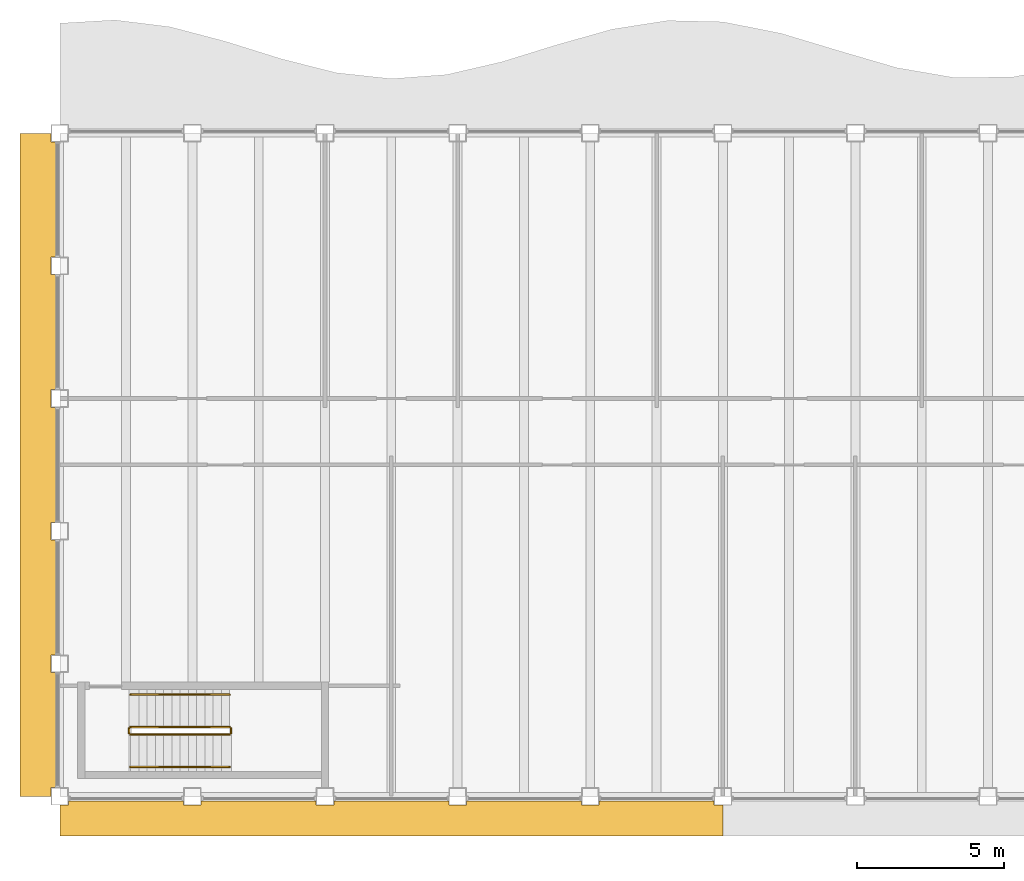
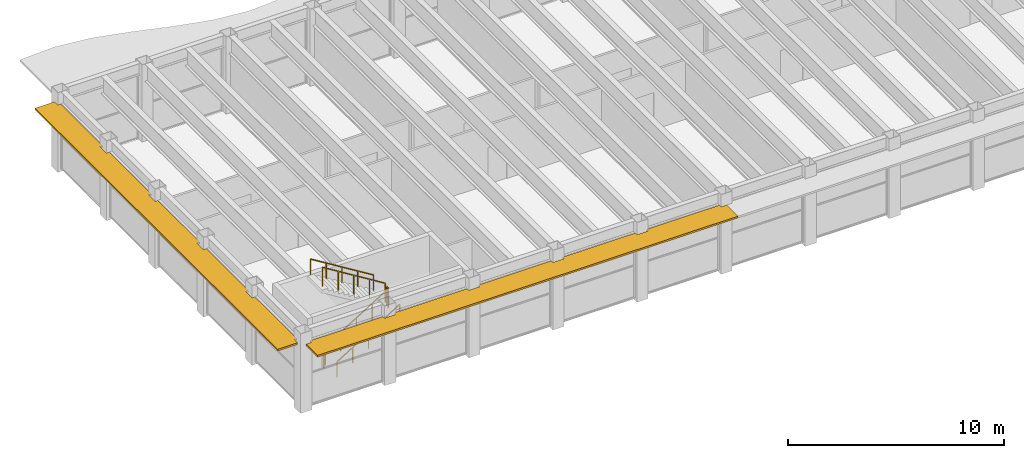
# One storey, part 13 of 15: 6 railings, 2 shading devices.
"""IFC4 building model written with IfcOpenShell, lengths in metres."""

from ifc_helpers import new_model, si_unit, direction, frame, origin, origin_2d, place, context, subcontext, project, spatial, polyline, rectangle, outline, extrude, material, layer, layer_set, type_object, element, save


model = new_model("IFC4")

# Units and contexts
model_context = context("Model", 3, precision=1e-05, world=origin(), true_north=direction((0.0, 1.0)))
body_context = subcontext(model_context, "Body", "Model", "MODEL_VIEW")
ifc_project = project(units=[si_unit("LENGTHUNIT", "METRE"), si_unit("AREAUNIT", "SQUARE_METRE"), si_unit("VOLUMEUNIT", "CUBIC_METRE"), si_unit("PLANEANGLEUNIT", "RADIAN"), si_unit("MASSUNIT", "GRAM", prefix="KILO")], contexts=[model_context])

# Site, building, storey
site_placement = place(None, origin())
site = spatial("IfcSite", under=ifc_project, at=site_placement, CompositionType="ELEMENT")
building_placement = place(site_placement, origin())
building = spatial("IfcBuilding", under=site, at=building_placement, Name="Sennacour Bend Tower", CompositionType="ELEMENT")
storey_placement = place(building_placement, frame((0.0, 0.0, 318.5)))
storey = spatial("IfcBuildingStorey", under=building, at=storey_placement, Name="L73", CompositionType="ELEMENT", Elevation=318.5)

# Railings
ifc_material_1 = material(Name="Stainless steel", Category="steel")
railing_type_1 = type_object("IfcRailingType", Name="RL-GUARD-1100", PredefinedType="GUARDRAIL", material=ifc_material_1)
railing_1_placement = place(storey_placement, frame((2.39990234375, 2.10009765625, 0.173095703125)))
element("IfcRailing", 1, at=railing_1_placement, inside=storey, type_object=railing_type_1, Name="L73 SK1 stair guard 1", PredefinedType="GUARDRAIL", context=body_context, shape_type="SweptSolid", body=[
    extrude(rectangle(XDim=0.048095703125, YDim=0.048095703125, at=origin_2d()), frame((0.0, 0.0, 1.076171875), z_axis=(0.850623216509, 0.0, 0.525775754039), x_axis=(0.0, 1.0, 0.0)), (0.0, 0.0, 1.0), 3.9501953125),
    extrude(rectangle(XDim=0.0419921875, YDim=0.0419921875, at=origin_2d()), origin(), (0.0, 0.0, 1.0), 1.052001953125),
    extrude(rectangle(XDim=0.0419921875, YDim=0.0419921875, at=origin_2d()), frame((0.840087890625, 0.0, 0.519287109375)), (0.0, 0.0, 1.0), 1.052001953125),
    extrude(rectangle(XDim=0.0419921875, YDim=0.0419921875, at=origin_2d()), frame((1.68017578125, 0.0, 1.03857421875)), (0.0, 0.0, 1.0), 1.052001953125),
    extrude(rectangle(XDim=0.0419921875, YDim=0.0419921875, at=origin_2d()), frame((2.52001953125, 0.0, 1.5576171875)), (0.0, 0.0, 1.0), 1.052001953125),
    extrude(rectangle(XDim=0.0419921875, YDim=0.0419921875, at=origin_2d()), frame((3.360107421875, 0.0, 2.076904296875)), (0.0, 0.0, 1.0), 1.052001953125),
])
railing_2_placement = place(storey_placement, frame((5.81005859375, 2.14990234375, 2.25)))
element("IfcRailing", 2, at=railing_2_placement, inside=storey, type_object=railing_type_1, Name="L73 SK1 stair guard 2", PredefinedType="GUARDRAIL", context=body_context, shape_type="SweptSolid", body=[
    extrude(rectangle(XDim=0.048095703125, YDim=0.048095703125, at=origin_2d()), frame((0.0, 0.0, 1.076171875), z_axis=(0.0, 1.0, 0.0), x_axis=(-1.0, 0.0, 0.0)), (0.0, 0.0, 1.0), 0.150146484375),
    extrude(rectangle(XDim=0.0419921875, YDim=0.0419921875, at=origin_2d()), origin(), (0.0, 0.0, 1.0), 1.052001953125),
    extrude(rectangle(XDim=0.0419921875, YDim=0.0419921875, at=origin_2d()), frame((0.0, 0.150146484375, 0.0)), (0.0, 0.0, 1.0), 1.052001953125),
])
railing_3_placement = place(storey_placement, frame((5.760009765625, 2.35009765625, 2.423095703125)))
element("IfcRailing", 3, at=railing_3_placement, inside=storey, type_object=railing_type_1, Name="L73 SK1 stair guard 3", PredefinedType="GUARDRAIL", context=body_context, shape_type="SweptSolid", body=[
    extrude(rectangle(XDim=0.048095703125, YDim=0.048095703125, at=origin_2d()), frame((0.0, 0.0, 1.076171875), z_axis=(-0.850623216509, 0.0, 0.525775754039), x_axis=(0.0, -1.0, 0.0)), (0.0, 0.0, 1.0), 3.9501953125),
    extrude(rectangle(XDim=0.0419921875, YDim=0.0419921875, at=origin_2d()), origin(), (0.0, 0.0, 1.0), 1.052001953125),
    extrude(rectangle(XDim=0.0419921875, YDim=0.0419921875, at=origin_2d()), frame((-0.840087890625, 0.0, 0.519287109375)), (0.0, 0.0, 1.0), 1.052001953125),
    extrude(rectangle(XDim=0.0419921875, YDim=0.0419921875, at=origin_2d()), frame((-1.68017578125, 0.0, 1.03857421875)), (0.0, 0.0, 1.0), 1.052001953125),
    extrude(rectangle(XDim=0.0419921875, YDim=0.0419921875, at=origin_2d()), frame((-2.52001953125, 0.0, 1.5576171875)), (0.0, 0.0, 1.0), 1.052001953125),
    extrude(rectangle(XDim=0.0419921875, YDim=0.0419921875, at=origin_2d()), frame((-3.360107421875, 0.0, 2.076904296875)), (0.0, 0.0, 1.0), 1.052001953125),
])
railing_4_placement = place(storey_placement, frame((2.35009765625, 2.14990234375, 0.0)))
element("IfcRailing", 4, at=railing_4_placement, inside=storey, type_object=railing_type_1, Name="L73 SK1 stair guard 4", PredefinedType="GUARDRAIL", context=body_context, shape_type="SweptSolid", body=[
    extrude(rectangle(XDim=0.048095703125, YDim=0.048095703125, at=origin_2d()), frame((0.0, 0.0, 1.076171875), z_axis=(0.0, 1.0, 0.0), x_axis=(-1.0, 0.0, 0.0)), (0.0, 0.0, 1.0), 0.150146484375),
    extrude(rectangle(XDim=0.0419921875, YDim=0.0419921875, at=origin_2d()), origin(), (0.0, 0.0, 1.0), 1.052001953125),
    extrude(rectangle(XDim=0.0419921875, YDim=0.0419921875, at=origin_2d()), frame((0.0, 0.150146484375, 0.0)), (0.0, 0.0, 1.0), 1.052001953125),
])
railing_type_2 = type_object("IfcRailingType", Name="RL-HANDRAIL-900", PredefinedType="HANDRAIL", material=ifc_material_1)
railing_5_placement = place(storey_placement, frame((2.39990234375, 1.0, 0.173095703125)))
element("IfcRailing", 5, at=railing_5_placement, inside=storey, type_object=railing_type_2, Name="L73 SK1 stair handrail 1", PredefinedType="HANDRAIL", context=body_context, shape_type="SweptSolid", body=[
    extrude(rectangle(XDim=0.048095703125, YDim=0.048095703125, at=origin_2d()), frame((0.0, 0.0, 0.8759765625), z_axis=(0.850623216509, 0.0, 0.525775754039), x_axis=(0.0, 1.0, 0.0)), (0.0, 0.0, 1.0), 3.9501953125),
    extrude(rectangle(XDim=0.0419921875, YDim=0.0419921875, at=origin_2d()), origin(), (0.0, 0.0, 1.0), 0.851806640625),
    extrude(rectangle(XDim=0.0419921875, YDim=0.0419921875, at=origin_2d()), frame((0.840087890625, 0.0, 0.519287109375)), (0.0, 0.0, 1.0), 0.851806640625),
    extrude(rectangle(XDim=0.0419921875, YDim=0.0419921875, at=origin_2d()), frame((1.68017578125, 0.0, 1.03857421875)), (0.0, 0.0, 1.0), 0.851806640625),
    extrude(rectangle(XDim=0.0419921875, YDim=0.0419921875, at=origin_2d()), frame((2.52001953125, 0.0, 1.5576171875)), (0.0, 0.0, 1.0), 0.851806640625),
    extrude(rectangle(XDim=0.0419921875, YDim=0.0419921875, at=origin_2d()), frame((3.360107421875, 0.0, 2.076904296875)), (0.0, 0.0, 1.0), 0.851806640625),
])
railing_6_placement = place(storey_placement, frame((5.760009765625, 3.449951171875, 2.423095703125)))
element("IfcRailing", 6, at=railing_6_placement, inside=storey, type_object=railing_type_2, Name="L73 SK1 stair handrail 2", PredefinedType="HANDRAIL", context=body_context, shape_type="SweptSolid", body=[
    extrude(rectangle(XDim=0.048095703125, YDim=0.048095703125, at=origin_2d()), frame((0.0, 0.0, 0.8759765625), z_axis=(-0.850623216509, 0.0, 0.525775754039), x_axis=(0.0, -1.0, 0.0)), (0.0, 0.0, 1.0), 3.9501953125),
    extrude(rectangle(XDim=0.0419921875, YDim=0.0419921875, at=origin_2d()), origin(), (0.0, 0.0, 1.0), 0.851806640625),
    extrude(rectangle(XDim=0.0419921875, YDim=0.0419921875, at=origin_2d()), frame((-0.840087890625, 0.0, 0.519287109375)), (0.0, 0.0, 1.0), 0.851806640625),
    extrude(rectangle(XDim=0.0419921875, YDim=0.0419921875, at=origin_2d()), frame((-1.68017578125, 0.0, 1.03857421875)), (0.0, 0.0, 1.0), 0.851806640625),
    extrude(rectangle(XDim=0.0419921875, YDim=0.0419921875, at=origin_2d()), frame((-2.52001953125, 0.0, 1.5576171875)), (0.0, 0.0, 1.0), 0.851806640625),
    extrude(rectangle(XDim=0.0419921875, YDim=0.0419921875, at=origin_2d()), frame((-3.360107421875, 0.0, 2.076904296875)), (0.0, 0.0, 1.0), 0.851806640625),
])

# Shading devices
ifc_material_2 = material(Name="Bronze anodised aluminium", Category="aluminium")
ifc_layer = layer(ifc_material_2, 0.10009765625, Name="Bronze anodised aluminium", Category="aluminium")
ifc_layer_set = layer_set([ifc_layer], Name="Bronze anodised aluminium")
shading_device_type = type_object("IfcShadingDeviceType", Name="SUNSHADE BAND STRAIGHT", PredefinedType="USERDEFINED", material=ifc_layer_set)
shading_device_1_placement = place(storey_placement, frame((0.0, 0.0, 3.572021484375)))
element("IfcShadingDevice", 7, at=shading_device_1_placement, inside=storey, type_object=shading_device_type, Name="Sunshade band L73 K outer face", ObjectType="SUNSHADE", PredefinedType="USERDEFINED", context=body_context, shape_type="SweptSolid", body=[
    extrude(outline(polyline([(4.199951171875, -0.14990234375), (4.199951171875, -0.300048828125), (4.800048828125, -0.300048828125), (4.800048828125, -0.14990234375), (8.699951171875, -0.14990234375), (8.699951171875, -0.300048828125), (9.300048828125, -0.300048828125), (9.300048828125, -0.14990234375), (13.199951171875, -0.14990234375), (13.199951171875, -0.300048828125), (13.800048828125, -0.300048828125), (13.800048828125, -0.14990234375), (17.699951171875, -0.14990234375), (17.699951171875, -0.300048828125), (18.300048828125, -0.300048828125), (18.300048828125, -0.14990234375), (22.199951171875, -0.14990234375), (22.199951171875, -0.300048828125), (22.5, -0.300048828125), (22.5, -1.35009765625), (0.0, -1.35009765625), (0.0, -0.300048828125), (0.300048828125, -0.300048828125), (0.300048828125, -0.14990234375), (4.199951171875, -0.14990234375)])), origin(), (0.0, 0.0, 1.0), 0.10009765625),
])
shading_device_2_placement = place(storey_placement, frame((0.0, 0.0, 3.572021484375)))
element("IfcShadingDevice", 8, at=shading_device_2_placement, inside=storey, type_object=shading_device_type, Name="Sunshade band L73 K outer face", ObjectType="SUNSHADE", PredefinedType="USERDEFINED", context=body_context, shape_type="SweptSolid", body=[
    extrude(outline(polyline([(-0.14990234375, 18.300048828125), (-0.300048828125, 18.300048828125), (-0.300048828125, 17.699951171875), (-0.14990234375, 17.699951171875), (-0.14990234375, 13.800048828125), (-0.300048828125, 13.800048828125), (-0.300048828125, 13.199951171875), (-0.14990234375, 13.199951171875), (-0.14990234375, 9.300048828125), (-0.300048828125, 9.300048828125), (-0.300048828125, 8.699951171875), (-0.14990234375, 8.699951171875), (-0.14990234375, 4.800048828125), (-0.300048828125, 4.800048828125), (-0.300048828125, 4.199951171875), (-0.14990234375, 4.199951171875), (-0.14990234375, 0.300048828125), (-0.300048828125, 0.300048828125), (-0.300048828125, 0.0), (-1.35009765625, 0.0), (-1.35009765625, 22.5), (-0.300048828125, 22.5), (-0.300048828125, 22.199951171875), (-0.14990234375, 22.199951171875), (-0.14990234375, 18.300048828125)])), origin(), (0.0, 0.0, 1.0), 0.10009765625),
])

save(model, "model.ifc")
